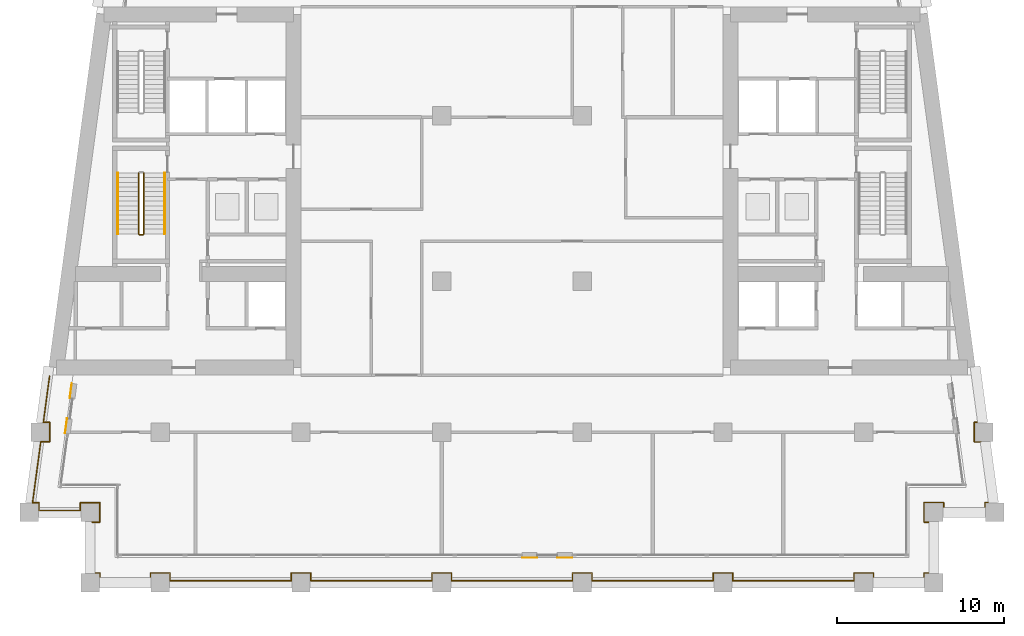
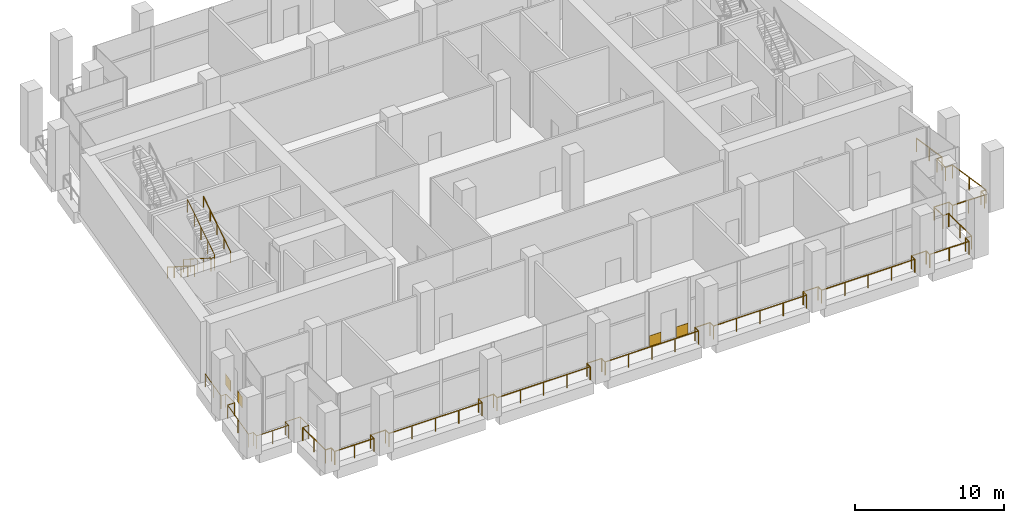
# One storey, part 12 of 16: 5 railings, 4 coverings.
"""IFC4 building model written with IfcOpenShell, lengths in metres."""

from ifc_helpers import new_model, si_unit, direction, frame, origin, origin_2d, place, context, subcontext, project, spatial, rectangle, circle, extrude, material, layer, layer_set, type_object, element, save


model = new_model("IFC4")

# Units and contexts
model_context = context("Model", 3, precision=1e-05, world=origin(), true_north=direction((0.0, 1.0)))
body_context = subcontext(model_context, "Body", "Model", "MODEL_VIEW")
ifc_project = project(units=[si_unit("LENGTHUNIT", "METRE"), si_unit("AREAUNIT", "SQUARE_METRE"), si_unit("VOLUMEUNIT", "CUBIC_METRE"), si_unit("PLANEANGLEUNIT", "RADIAN"), si_unit("MASSUNIT", "GRAM", prefix="KILO")], contexts=[model_context])

# Site, building, storey
site_placement = place(None, origin())
site = spatial("IfcSite", under=ifc_project, at=site_placement, CompositionType="ELEMENT")
building_placement = place(site_placement, origin())
building = spatial("IfcBuilding", under=site, at=building_placement, Name="Candeia Pilgrim Tower and Theatre", CompositionType="ELEMENT")
storey_placement = place(building_placement, frame((0.0, 0.0, 192.199951171875)))
storey = spatial("IfcBuildingStorey", under=building, at=storey_placement, Name="L46", CompositionType="ELEMENT", Elevation=192.199951171875)

# Railings
ifc_material_1 = material(Name="Stainless steel balustrade", Category="steel")
railing_type_1 = type_object("IfcRailingType", Name="G1 loggia guard 1100", PredefinedType="GUARDRAIL", material=ifc_material_1)
railing_1_placement = place(storey_placement, frame((88.320068359375, 101.6201171875, 0.0)))
element("IfcRailing", 1, at=railing_1_placement, inside=storey, type_object=railing_type_1, Name="Guard L46.1", PredefinedType="GUARDRAIL", context=body_context, shape_type="SweptSolid", body=[
    extrude(circle(Radius=0.02392578125, at=origin_2d()), frame((0.0, 0.0, 1.076171875), z_axis=(1.0, 0.0, 0.0), x_axis=(0.0, 1.0, 0.0)), (0.0, 0.0, 1.0), 0.4599609375),
    extrude(circle(Radius=0.02392578125, at=origin_2d()), frame((0.4599609375, 0.0, 1.076171875), z_axis=(0.0, 1.0, 0.0), x_axis=(-1.0, 0.0, 0.0)), (0.0, 0.0, 1.0), 1.159912109375),
    extrude(circle(Radius=0.02392578125, at=origin_2d()), frame((0.4599609375, 1.159912109375, 1.076171875), z_axis=(-1.0, 0.0, 0.0), x_axis=(0.0, -1.0, 0.0)), (0.0, 0.0, 1.0), 1.159912109375),
    extrude(circle(Radius=0.02392578125, at=origin_2d()), frame((-0.699951171875, 1.159912109375, 1.076171875), z_axis=(0.0, -1.0, 0.0), x_axis=(1.0, 0.0, 0.0)), (0.0, 0.0, 1.0), 0.4599609375),
    extrude(circle(Radius=0.02392578125, at=origin_2d()), frame((-0.699951171875, 0.699951171875, 1.076171875), z_axis=(-1.0, 0.0, 0.0), x_axis=(0.0, -1.0, 0.0)), (0.0, 0.0, 1.0), 2.474853515625),
    extrude(circle(Radius=0.02392578125, at=origin_2d()), frame((-3.1748046875, 0.699951171875, 1.076171875), z_axis=(0.0, 1.0, 0.0), x_axis=(-1.0, 0.0, 0.0)), (0.0, 0.0, 1.0), 0.4599609375),
    extrude(circle(Radius=0.02392578125, at=origin_2d()), frame((-3.1748046875, 1.159912109375, 1.076171875), z_axis=(-1.0, 0.0, 0.0), x_axis=(0.0, -1.0, 0.0)), (0.0, 0.0, 1.0), 0.380615234375),
    extrude(circle(Radius=0.02392578125, at=origin_2d()), frame((-3.555419921875, 1.159912109375, 1.076171875), z_axis=(0.133413267734, 0.9910604926, 0.0), x_axis=(-0.9910604926, 0.133413267734, 0.0)), (0.0, 0.0, 1.0), 3.672607421875),
    extrude(circle(Radius=0.02392578125, at=origin_2d()), frame((-3.0654296875, 4.7998046875, 1.076171875), z_axis=(1.0, 0.0, 0.0), x_axis=(0.0, 1.0, 0.0)), (0.0, 0.0, 1.0), 0.536865234375),
    extrude(circle(Radius=0.02392578125, at=origin_2d()), frame((-2.528564453125, 4.7998046875, 1.076171875), z_axis=(0.0, 1.0, 0.0), x_axis=(-1.0, 0.0, 0.0)), (0.0, 0.0, 1.0), 1.16015625),
    extrude(circle(Radius=0.02392578125, at=origin_2d()), frame((-2.528564453125, 5.9599609375, 1.076171875), z_axis=(-1.0, 0.0, 0.0), x_axis=(0.0, -1.0, 0.0)), (0.0, 0.0, 1.0), 0.380859375),
    extrude(circle(Radius=0.02392578125, at=origin_2d()), frame((-2.909423828125, 5.9599609375, 1.076171875), z_axis=(0.133468107709, 0.99105310868, 0.0), x_axis=(-0.99105310868, 0.133468107709, 0.0)), (0.0, 0.0, 1.0), 2.794921875),
    extrude(circle(Radius=0.02099609375, at=origin_2d()), origin(), (0.0, 0.0, 1.0), 1.052001953125),
    extrude(circle(Radius=0.02099609375, at=origin_2d()), frame((0.4599609375, 0.0, 0.0)), (0.0, 0.0, 1.0), 1.052001953125),
    extrude(circle(Radius=0.02099609375, at=origin_2d()), frame((0.4599609375, 1.159912109375, 0.0)), (0.0, 0.0, 1.0), 1.052001953125),
    extrude(circle(Radius=0.02099609375, at=origin_2d()), frame((-0.699951171875, 1.159912109375, 0.0)), (0.0, 0.0, 1.0), 1.052001953125),
    extrude(circle(Radius=0.02099609375, at=origin_2d()), frame((-0.699951171875, 0.699951171875, 0.0)), (0.0, 0.0, 1.0), 1.052001953125),
    extrude(circle(Radius=0.02099609375, at=origin_2d()), frame((-1.9375, 0.699951171875, 0.0)), (0.0, 0.0, 1.0), 1.052001953125),
    extrude(circle(Radius=0.02099609375, at=origin_2d()), frame((-3.1748046875, 0.699951171875, 0.0)), (0.0, 0.0, 1.0), 1.052001953125),
    extrude(circle(Radius=0.02099609375, at=origin_2d()), frame((-3.1748046875, 1.159912109375, 0.0)), (0.0, 0.0, 1.0), 1.052001953125),
    extrude(circle(Radius=0.02099609375, at=origin_2d()), frame((-3.555419921875, 1.159912109375, 0.0)), (0.0, 0.0, 1.0), 1.052001953125),
    extrude(circle(Radius=0.02099609375, at=origin_2d()), frame((-3.310546875, 2.97998046875, 0.0)), (0.0, 0.0, 1.0), 1.052001953125),
    extrude(circle(Radius=0.02099609375, at=origin_2d()), frame((-3.0654296875, 4.7998046875, 0.0)), (0.0, 0.0, 1.0), 1.052001953125),
    extrude(circle(Radius=0.02099609375, at=origin_2d()), frame((-2.528564453125, 4.7998046875, 0.0)), (0.0, 0.0, 1.0), 1.052001953125),
    extrude(circle(Radius=0.02099609375, at=origin_2d()), frame((-2.528564453125, 5.9599609375, 0.0)), (0.0, 0.0, 1.0), 1.052001953125),
    extrude(circle(Radius=0.02099609375, at=origin_2d()), frame((-2.909423828125, 5.9599609375, 0.0)), (0.0, 0.0, 1.0), 1.052001953125),
    extrude(circle(Radius=0.02099609375, at=origin_2d()), frame((-2.722900390625, 7.344970703125, 0.0)), (0.0, 0.0, 1.0), 1.052001953125),
    extrude(circle(Radius=0.02099609375, at=origin_2d()), frame((-2.536376953125, 8.72998046875, 0.0)), (0.0, 0.0, 1.0), 1.052001953125),
])
railing_2_placement = place(storey_placement, frame((141.016357421875, 110.35009765625, 0.0)))
element("IfcRailing", 2, at=railing_2_placement, inside=storey, type_object=railing_type_1, Name="Guard L46.3", PredefinedType="GUARDRAIL", context=body_context, shape_type="SweptSolid", body=[
    extrude(circle(Radius=0.02392578125, at=origin_2d()), frame((0.0, 0.0, 1.076171875), z_axis=(0.133468107709, -0.99105310868, 0.0), x_axis=(0.99105310868, 0.133468107709, 0.0)), (0.0, 0.0, 1.0), 2.794921875),
    extrude(circle(Radius=0.02392578125, at=origin_2d()), frame((0.373046875, -2.77001953125, 1.076171875), z_axis=(-1.0, 0.0, 0.0), x_axis=(0.0, -1.0, 0.0)), (0.0, 0.0, 1.0), 0.380859375),
    extrude(circle(Radius=0.02392578125, at=origin_2d()), frame((-0.0078125, -2.77001953125, 1.076171875), z_axis=(0.0, -1.0, 0.0), x_axis=(1.0, 0.0, 0.0)), (0.0, 0.0, 1.0), 1.16015625),
    extrude(circle(Radius=0.02392578125, at=origin_2d()), frame((-0.0078125, -3.93017578125, 1.076171875), z_axis=(1.0, 0.0, 0.0), x_axis=(0.0, 1.0, 0.0)), (0.0, 0.0, 1.0), 0.536865234375),
    extrude(circle(Radius=0.02392578125, at=origin_2d()), frame((0.529052734375, -3.93017578125, 1.076171875), z_axis=(0.133413267734, -0.9910604926, 0.0), x_axis=(0.9910604926, 0.133413267734, 0.0)), (0.0, 0.0, 1.0), 3.672607421875),
    extrude(circle(Radius=0.02392578125, at=origin_2d()), frame((1.01904296875, -7.570068359375, 1.076171875), z_axis=(-1.0, 0.0, 0.0), x_axis=(0.0, -1.0, 0.0)), (0.0, 0.0, 1.0), 0.380859375),
    extrude(circle(Radius=0.02392578125, at=origin_2d()), frame((0.63818359375, -7.570068359375, 1.076171875), z_axis=(0.0, -1.0, 0.0), x_axis=(1.0, 0.0, 0.0)), (0.0, 0.0, 1.0), 0.4599609375),
    extrude(circle(Radius=0.02392578125, at=origin_2d()), frame((0.63818359375, -8.030029296875, 1.076171875), z_axis=(-1.0, 0.0, 0.0), x_axis=(0.0, -1.0, 0.0)), (0.0, 0.0, 1.0), 2.474609375),
    extrude(circle(Radius=0.02392578125, at=origin_2d()), frame((-1.83642578125, -8.030029296875, 1.076171875), z_axis=(0.0, 1.0, 0.0), x_axis=(-1.0, 0.0, 0.0)), (0.0, 0.0, 1.0), 0.4599609375),
    extrude(circle(Radius=0.02392578125, at=origin_2d()), frame((-1.83642578125, -7.570068359375, 1.076171875), z_axis=(-1.0, 0.0, 0.0), x_axis=(0.0, -1.0, 0.0)), (0.0, 0.0, 1.0), 1.159912109375),
    extrude(circle(Radius=0.02392578125, at=origin_2d()), frame((-2.996337890625, -7.570068359375, 1.076171875), z_axis=(0.0, -1.0, 0.0), x_axis=(1.0, 0.0, 0.0)), (0.0, 0.0, 1.0), 1.159912109375),
    extrude(circle(Radius=0.02392578125, at=origin_2d()), frame((-2.996337890625, -8.72998046875, 1.076171875), z_axis=(1.0, 0.0, 0.0), x_axis=(0.0, 1.0, 0.0)), (0.0, 0.0, 1.0), 0.4599609375),
    extrude(circle(Radius=0.02392578125, at=origin_2d()), frame((-2.536376953125, -8.72998046875, 1.076171875), z_axis=(0.0, -1.0, 0.0), x_axis=(1.0, 0.0, 0.0)), (0.0, 0.0, 1.0), 3.0400390625),
    extrude(circle(Radius=0.02392578125, at=origin_2d()), frame((-2.536376953125, -11.77001953125, 1.076171875), z_axis=(-1.0, 0.0, 0.0), x_axis=(0.0, -1.0, 0.0)), (0.0, 0.0, 1.0), 0.4599609375),
    extrude(circle(Radius=0.02392578125, at=origin_2d()), frame((-2.996337890625, -11.77001953125, 1.076171875), z_axis=(0.0, -1.0, 0.0), x_axis=(1.0, 0.0, 0.0)), (0.0, 0.0, 1.0), 0.4599609375),
    extrude(circle(Radius=0.02392578125, at=origin_2d()), frame((-2.996337890625, -12.22998046875, 1.076171875), z_axis=(-1.0, 0.0, 0.0), x_axis=(0.0, -1.0, 0.0)), (0.0, 0.0, 1.0), 3.0400390625),
    extrude(circle(Radius=0.02392578125, at=origin_2d()), frame((-6.036376953125, -12.22998046875, 1.076171875), z_axis=(0.0, 1.0, 0.0), x_axis=(-1.0, 0.0, 0.0)), (0.0, 0.0, 1.0), 0.4599609375),
    extrude(circle(Radius=0.02392578125, at=origin_2d()), frame((-6.036376953125, -11.77001953125, 1.076171875), z_axis=(-1.0, 0.0, 0.0), x_axis=(0.0, -1.0, 0.0)), (0.0, 0.0, 1.0), 1.159912109375),
    extrude(circle(Radius=0.02392578125, at=origin_2d()), frame((-7.1962890625, -11.77001953125, 1.076171875), z_axis=(0.0, -1.0, 0.0), x_axis=(1.0, 0.0, 0.0)), (0.0, 0.0, 1.0), 0.4599609375),
    extrude(circle(Radius=0.02392578125, at=origin_2d()), frame((-7.1962890625, -12.22998046875, 1.076171875), z_axis=(-1.0, 0.0, 0.0), x_axis=(0.0, -1.0, 0.0)), (0.0, 0.0, 1.0), 7.239990234375),
    extrude(circle(Radius=0.02392578125, at=origin_2d()), frame((-14.436279296875, -12.22998046875, 1.076171875), z_axis=(0.0, 1.0, 0.0), x_axis=(-1.0, 0.0, 0.0)), (0.0, 0.0, 1.0), 0.4599609375),
    extrude(circle(Radius=0.02392578125, at=origin_2d()), frame((-14.436279296875, -11.77001953125, 1.076171875), z_axis=(-1.0, 0.0, 0.0), x_axis=(0.0, -1.0, 0.0)), (0.0, 0.0, 1.0), 1.16015625),
    extrude(circle(Radius=0.02392578125, at=origin_2d()), frame((-15.596435546875, -11.77001953125, 1.076171875), z_axis=(0.0, -1.0, 0.0), x_axis=(1.0, 0.0, 0.0)), (0.0, 0.0, 1.0), 0.4599609375),
    extrude(circle(Radius=0.02392578125, at=origin_2d()), frame((-15.596435546875, -12.22998046875, 1.076171875), z_axis=(-1.0, 0.0, 0.0), x_axis=(0.0, -1.0, 0.0)), (0.0, 0.0, 1.0), 7.239990234375),
    extrude(circle(Radius=0.02392578125, at=origin_2d()), frame((-22.83642578125, -12.22998046875, 1.076171875), z_axis=(0.0, 1.0, 0.0), x_axis=(-1.0, 0.0, 0.0)), (0.0, 0.0, 1.0), 0.4599609375),
    extrude(circle(Radius=0.02392578125, at=origin_2d()), frame((-22.83642578125, -11.77001953125, 1.076171875), z_axis=(-1.0, 0.0, 0.0), x_axis=(0.0, -1.0, 0.0)), (0.0, 0.0, 1.0), 1.159912109375),
    extrude(circle(Radius=0.02392578125, at=origin_2d()), frame((-23.996337890625, -11.77001953125, 1.076171875), z_axis=(0.0, -1.0, 0.0), x_axis=(1.0, 0.0, 0.0)), (0.0, 0.0, 1.0), 0.4599609375),
    extrude(circle(Radius=0.02392578125, at=origin_2d()), frame((-23.996337890625, -12.22998046875, 1.076171875), z_axis=(-1.0, 0.0, 0.0), x_axis=(0.0, -1.0, 0.0)), (0.0, 0.0, 1.0), 7.239990234375),
    extrude(circle(Radius=0.02392578125, at=origin_2d()), frame((-31.236328125, -12.22998046875, 1.076171875), z_axis=(0.0, 1.0, 0.0), x_axis=(-1.0, 0.0, 0.0)), (0.0, 0.0, 1.0), 0.4599609375),
    extrude(circle(Radius=0.02392578125, at=origin_2d()), frame((-31.236328125, -11.77001953125, 1.076171875), z_axis=(-1.0, 0.0, 0.0), x_axis=(0.0, -1.0, 0.0)), (0.0, 0.0, 1.0), 1.159912109375),
    extrude(circle(Radius=0.02392578125, at=origin_2d()), frame((-32.396240234375, -11.77001953125, 1.076171875), z_axis=(0.0, -1.0, 0.0), x_axis=(1.0, 0.0, 0.0)), (0.0, 0.0, 1.0), 0.4599609375),
    extrude(circle(Radius=0.02392578125, at=origin_2d()), frame((-32.396240234375, -12.22998046875, 1.076171875), z_axis=(-1.0, 0.0, 0.0), x_axis=(0.0, -1.0, 0.0)), (0.0, 0.0, 1.0), 7.240234375),
    extrude(circle(Radius=0.02392578125, at=origin_2d()), frame((-39.636474609375, -12.22998046875, 1.076171875), z_axis=(0.0, 1.0, 0.0), x_axis=(-1.0, 0.0, 0.0)), (0.0, 0.0, 1.0), 0.4599609375),
    extrude(circle(Radius=0.02392578125, at=origin_2d()), frame((-39.636474609375, -11.77001953125, 1.076171875), z_axis=(-1.0, 0.0, 0.0), x_axis=(0.0, -1.0, 0.0)), (0.0, 0.0, 1.0), 1.159912109375),
    extrude(circle(Radius=0.02392578125, at=origin_2d()), frame((-40.79638671875, -11.77001953125, 1.076171875), z_axis=(0.0, -1.0, 0.0), x_axis=(1.0, 0.0, 0.0)), (0.0, 0.0, 1.0), 0.4599609375),
    extrude(circle(Radius=0.02392578125, at=origin_2d()), frame((-40.79638671875, -12.22998046875, 1.076171875), z_axis=(-1.0, 0.0, 0.0), x_axis=(0.0, -1.0, 0.0)), (0.0, 0.0, 1.0), 7.239990234375),
    extrude(circle(Radius=0.02392578125, at=origin_2d()), frame((-48.036376953125, -12.22998046875, 1.076171875), z_axis=(0.0, 1.0, 0.0), x_axis=(-1.0, 0.0, 0.0)), (0.0, 0.0, 1.0), 0.4599609375),
    extrude(circle(Radius=0.02392578125, at=origin_2d()), frame((-48.036376953125, -11.77001953125, 1.076171875), z_axis=(-1.0, 0.0, 0.0), x_axis=(0.0, -1.0, 0.0)), (0.0, 0.0, 1.0), 1.159912109375),
    extrude(circle(Radius=0.02392578125, at=origin_2d()), frame((-49.1962890625, -11.77001953125, 1.076171875), z_axis=(0.0, -1.0, 0.0), x_axis=(1.0, 0.0, 0.0)), (0.0, 0.0, 1.0), 0.4599609375),
    extrude(circle(Radius=0.02392578125, at=origin_2d()), frame((-49.1962890625, -12.22998046875, 1.076171875), z_axis=(-1.0, 0.0, 0.0), x_axis=(0.0, -1.0, 0.0)), (0.0, 0.0, 1.0), 3.0400390625),
    extrude(circle(Radius=0.02392578125, at=origin_2d()), frame((-52.236328125, -12.22998046875, 1.076171875), z_axis=(0.0, 1.0, 0.0), x_axis=(-1.0, 0.0, 0.0)), (0.0, 0.0, 1.0), 0.4599609375),
    extrude(circle(Radius=0.02392578125, at=origin_2d()), frame((-52.236328125, -11.77001953125, 1.076171875), z_axis=(-1.0, 0.0, 0.0), x_axis=(0.0, -1.0, 0.0)), (0.0, 0.0, 1.0), 0.4599609375),
    extrude(circle(Radius=0.02392578125, at=origin_2d()), frame((-52.6962890625, -11.77001953125, 1.076171875), z_axis=(0.0, 1.0, 0.0), x_axis=(-1.0, 0.0, 0.0)), (0.0, 0.0, 1.0), 3.0400390625),
    extrude(circle(Radius=0.02099609375, at=origin_2d()), origin(), (0.0, 0.0, 1.0), 1.052001953125),
    extrude(circle(Radius=0.02099609375, at=origin_2d()), frame((0.1865234375, -1.385009765625, 0.0)), (0.0, 0.0, 1.0), 1.052001953125),
    extrude(circle(Radius=0.02099609375, at=origin_2d()), frame((0.373046875, -2.77001953125, 0.0)), (0.0, 0.0, 1.0), 1.052001953125),
    extrude(circle(Radius=0.02099609375, at=origin_2d()), frame((-0.0078125, -2.77001953125, 0.0)), (0.0, 0.0, 1.0), 1.052001953125),
    extrude(circle(Radius=0.02099609375, at=origin_2d()), frame((-0.0078125, -3.93017578125, 0.0)), (0.0, 0.0, 1.0), 1.052001953125),
    extrude(circle(Radius=0.02099609375, at=origin_2d()), frame((0.529052734375, -3.93017578125, 0.0)), (0.0, 0.0, 1.0), 1.052001953125),
    extrude(circle(Radius=0.02099609375, at=origin_2d()), frame((0.77392578125, -5.75, 0.0)), (0.0, 0.0, 1.0), 1.052001953125),
    extrude(circle(Radius=0.02099609375, at=origin_2d()), frame((1.01904296875, -7.570068359375, 0.0)), (0.0, 0.0, 1.0), 1.052001953125),
    extrude(circle(Radius=0.02099609375, at=origin_2d()), frame((0.63818359375, -7.570068359375, 0.0)), (0.0, 0.0, 1.0), 1.052001953125),
    extrude(circle(Radius=0.02099609375, at=origin_2d()), frame((0.63818359375, -8.030029296875, 0.0)), (0.0, 0.0, 1.0), 1.052001953125),
    extrude(circle(Radius=0.02099609375, at=origin_2d()), frame((-0.59912109375, -8.030029296875, 0.0)), (0.0, 0.0, 1.0), 1.052001953125),
    extrude(circle(Radius=0.02099609375, at=origin_2d()), frame((-1.83642578125, -8.030029296875, 0.0)), (0.0, 0.0, 1.0), 1.052001953125),
    extrude(circle(Radius=0.02099609375, at=origin_2d()), frame((-1.83642578125, -7.570068359375, 0.0)), (0.0, 0.0, 1.0), 1.052001953125),
    extrude(circle(Radius=0.02099609375, at=origin_2d()), frame((-2.996337890625, -7.570068359375, 0.0)), (0.0, 0.0, 1.0), 1.052001953125),
    extrude(circle(Radius=0.02099609375, at=origin_2d()), frame((-2.996337890625, -8.72998046875, 0.0)), (0.0, 0.0, 1.0), 1.052001953125),
    extrude(circle(Radius=0.02099609375, at=origin_2d()), frame((-2.536376953125, -8.72998046875, 0.0)), (0.0, 0.0, 1.0), 1.052001953125),
    extrude(circle(Radius=0.02099609375, at=origin_2d()), frame((-2.536376953125, -10.25, 0.0)), (0.0, 0.0, 1.0), 1.052001953125),
    extrude(circle(Radius=0.02099609375, at=origin_2d()), frame((-2.536376953125, -11.77001953125, 0.0)), (0.0, 0.0, 1.0), 1.052001953125),
    extrude(circle(Radius=0.02099609375, at=origin_2d()), frame((-2.996337890625, -11.77001953125, 0.0)), (0.0, 0.0, 1.0), 1.052001953125),
    extrude(circle(Radius=0.02099609375, at=origin_2d()), frame((-2.996337890625, -12.22998046875, 0.0)), (0.0, 0.0, 1.0), 1.052001953125),
    extrude(circle(Radius=0.02099609375, at=origin_2d()), frame((-4.516357421875, -12.22998046875, 0.0)), (0.0, 0.0, 1.0), 1.052001953125),
    extrude(circle(Radius=0.02099609375, at=origin_2d()), frame((-6.036376953125, -12.22998046875, 0.0)), (0.0, 0.0, 1.0), 1.052001953125),
    extrude(circle(Radius=0.02099609375, at=origin_2d()), frame((-6.036376953125, -11.77001953125, 0.0)), (0.0, 0.0, 1.0), 1.052001953125),
    extrude(circle(Radius=0.02099609375, at=origin_2d()), frame((-7.1962890625, -11.77001953125, 0.0)), (0.0, 0.0, 1.0), 1.052001953125),
    extrude(circle(Radius=0.02099609375, at=origin_2d()), frame((-7.1962890625, -12.22998046875, 0.0)), (0.0, 0.0, 1.0), 1.052001953125),
    extrude(circle(Radius=0.02099609375, at=origin_2d()), frame((-9.00634765625, -12.22998046875, 0.0)), (0.0, 0.0, 1.0), 1.052001953125),
    extrude(circle(Radius=0.02099609375, at=origin_2d()), frame((-10.81640625, -12.22998046875, 0.0)), (0.0, 0.0, 1.0), 1.052001953125),
    extrude(circle(Radius=0.02099609375, at=origin_2d()), frame((-12.626220703125, -12.22998046875, 0.0)), (0.0, 0.0, 1.0), 1.052001953125),
    extrude(circle(Radius=0.02099609375, at=origin_2d()), frame((-14.436279296875, -12.22998046875, 0.0)), (0.0, 0.0, 1.0), 1.052001953125),
    extrude(circle(Radius=0.02099609375, at=origin_2d()), frame((-14.436279296875, -11.77001953125, 0.0)), (0.0, 0.0, 1.0), 1.052001953125),
    extrude(circle(Radius=0.02099609375, at=origin_2d()), frame((-15.596435546875, -11.77001953125, 0.0)), (0.0, 0.0, 1.0), 1.052001953125),
    extrude(circle(Radius=0.02099609375, at=origin_2d()), frame((-15.596435546875, -12.22998046875, 0.0)), (0.0, 0.0, 1.0), 1.052001953125),
    extrude(circle(Radius=0.02099609375, at=origin_2d()), frame((-17.406494140625, -12.22998046875, 0.0)), (0.0, 0.0, 1.0), 1.052001953125),
    extrude(circle(Radius=0.02099609375, at=origin_2d()), frame((-19.21630859375, -12.22998046875, 0.0)), (0.0, 0.0, 1.0), 1.052001953125),
    extrude(circle(Radius=0.02099609375, at=origin_2d()), frame((-21.0263671875, -12.22998046875, 0.0)), (0.0, 0.0, 1.0), 1.052001953125),
    extrude(circle(Radius=0.02099609375, at=origin_2d()), frame((-22.83642578125, -12.22998046875, 0.0)), (0.0, 0.0, 1.0), 1.052001953125),
    extrude(circle(Radius=0.02099609375, at=origin_2d()), frame((-22.83642578125, -11.77001953125, 0.0)), (0.0, 0.0, 1.0), 1.052001953125),
    extrude(circle(Radius=0.02099609375, at=origin_2d()), frame((-23.996337890625, -11.77001953125, 0.0)), (0.0, 0.0, 1.0), 1.052001953125),
    extrude(circle(Radius=0.02099609375, at=origin_2d()), frame((-23.996337890625, -12.22998046875, 0.0)), (0.0, 0.0, 1.0), 1.052001953125),
    extrude(circle(Radius=0.02099609375, at=origin_2d()), frame((-25.806396484375, -12.22998046875, 0.0)), (0.0, 0.0, 1.0), 1.052001953125),
    extrude(circle(Radius=0.02099609375, at=origin_2d()), frame((-27.6162109375, -12.22998046875, 0.0)), (0.0, 0.0, 1.0), 1.052001953125),
    extrude(circle(Radius=0.02099609375, at=origin_2d()), frame((-29.42626953125, -12.22998046875, 0.0)), (0.0, 0.0, 1.0), 1.052001953125),
    extrude(circle(Radius=0.02099609375, at=origin_2d()), frame((-31.236328125, -12.22998046875, 0.0)), (0.0, 0.0, 1.0), 1.052001953125),
    extrude(circle(Radius=0.02099609375, at=origin_2d()), frame((-31.236328125, -11.77001953125, 0.0)), (0.0, 0.0, 1.0), 1.052001953125),
    extrude(circle(Radius=0.02099609375, at=origin_2d()), frame((-32.396240234375, -11.77001953125, 0.0)), (0.0, 0.0, 1.0), 1.052001953125),
    extrude(circle(Radius=0.02099609375, at=origin_2d()), frame((-32.396240234375, -12.22998046875, 0.0)), (0.0, 0.0, 1.0), 1.052001953125),
    extrude(circle(Radius=0.02099609375, at=origin_2d()), frame((-34.206298828125, -12.22998046875, 0.0)), (0.0, 0.0, 1.0), 1.052001953125),
    extrude(circle(Radius=0.02099609375, at=origin_2d()), frame((-36.016357421875, -12.22998046875, 0.0)), (0.0, 0.0, 1.0), 1.052001953125),
    extrude(circle(Radius=0.02099609375, at=origin_2d()), frame((-37.826416015625, -12.22998046875, 0.0)), (0.0, 0.0, 1.0), 1.052001953125),
    extrude(circle(Radius=0.02099609375, at=origin_2d()), frame((-39.636474609375, -12.22998046875, 0.0)), (0.0, 0.0, 1.0), 1.052001953125),
    extrude(circle(Radius=0.02099609375, at=origin_2d()), frame((-39.636474609375, -11.77001953125, 0.0)), (0.0, 0.0, 1.0), 1.052001953125),
    extrude(circle(Radius=0.02099609375, at=origin_2d()), frame((-40.79638671875, -11.77001953125, 0.0)), (0.0, 0.0, 1.0), 1.052001953125),
    extrude(circle(Radius=0.02099609375, at=origin_2d()), frame((-40.79638671875, -12.22998046875, 0.0)), (0.0, 0.0, 1.0), 1.052001953125),
    extrude(circle(Radius=0.02099609375, at=origin_2d()), frame((-42.6064453125, -12.22998046875, 0.0)), (0.0, 0.0, 1.0), 1.052001953125),
    extrude(circle(Radius=0.02099609375, at=origin_2d()), frame((-44.41650390625, -12.22998046875, 0.0)), (0.0, 0.0, 1.0), 1.052001953125),
    extrude(circle(Radius=0.02099609375, at=origin_2d()), frame((-46.226318359375, -12.22998046875, 0.0)), (0.0, 0.0, 1.0), 1.052001953125),
    extrude(circle(Radius=0.02099609375, at=origin_2d()), frame((-48.036376953125, -12.22998046875, 0.0)), (0.0, 0.0, 1.0), 1.052001953125),
    extrude(circle(Radius=0.02099609375, at=origin_2d()), frame((-48.036376953125, -11.77001953125, 0.0)), (0.0, 0.0, 1.0), 1.052001953125),
    extrude(circle(Radius=0.02099609375, at=origin_2d()), frame((-49.1962890625, -11.77001953125, 0.0)), (0.0, 0.0, 1.0), 1.052001953125),
    extrude(circle(Radius=0.02099609375, at=origin_2d()), frame((-49.1962890625, -12.22998046875, 0.0)), (0.0, 0.0, 1.0), 1.052001953125),
    extrude(circle(Radius=0.02099609375, at=origin_2d()), frame((-50.71630859375, -12.22998046875, 0.0)), (0.0, 0.0, 1.0), 1.052001953125),
    extrude(circle(Radius=0.02099609375, at=origin_2d()), frame((-52.236328125, -12.22998046875, 0.0)), (0.0, 0.0, 1.0), 1.052001953125),
    extrude(circle(Radius=0.02099609375, at=origin_2d()), frame((-52.236328125, -11.77001953125, 0.0)), (0.0, 0.0, 1.0), 1.052001953125),
    extrude(circle(Radius=0.02099609375, at=origin_2d()), frame((-52.6962890625, -11.77001953125, 0.0)), (0.0, 0.0, 1.0), 1.052001953125),
    extrude(circle(Radius=0.02099609375, at=origin_2d()), frame((-52.6962890625, -10.25, 0.0)), (0.0, 0.0, 1.0), 1.052001953125),
    extrude(circle(Radius=0.02099609375, at=origin_2d()), frame((-52.6962890625, -8.72998046875, 0.0)), (0.0, 0.0, 1.0), 1.052001953125),
])

# Coverings
ifc_material_2 = material(Name="Glazed ceramic tile bottle green")
ifc_layer_1 = layer(ifc_material_2, 0.02001953125)
ifc_layer_set_1 = layer_set([ifc_layer_1], Name="Glazed ceramic tile bottle green")
covering_type_1 = type_object("IfcCoveringType", Name="Glazed ceramic tile bottle green", PredefinedType="CLADDING", material=ifc_layer_set_1)
for number, where, z_axis, x_axis, name in (
    (3, (114.449951171875, 99.489990234375, 0.0), (0.0, 0.0, 1.0), (1.0, 0.0, 0.0), "Tile cladding bottle green L46"),
    (4, (116.550048828125, 99.489990234375, 0.0), (0.0, 0.0, 1.0), (1.0, 0.0, 0.0), "Tile cladding bottle green L46"),
):
    element("IfcCovering", number, at=place(storey_placement, frame(where, z_axis=z_axis, x_axis=x_axis)), inside=storey, type_object=covering_type_1, Name=name, PredefinedType="CLADDING", context=body_context, shape_type="SweptSolid", body=[
        extrude(rectangle(XDim=0.89990234375, YDim=0.02001953125, at=origin_2d()), origin(), (0.0, 0.0, 1.0), 0.89990234375),
    ])
ifc_material_3 = material(Name="Glazed ceramic tile rust")
ifc_layer_2 = layer(ifc_material_3, 0.02001953125)
ifc_layer_set_2 = layer_set([ifc_layer_2], Name="Glazed ceramic tile rust")
covering_type_2 = type_object("IfcCoveringType", Name="Glazed ceramic tile rust", PredefinedType="CLADDING", material=ifc_layer_set_2)
for number, where, z_axis, x_axis, name in (
    (5, (87.04638671875, 109.4619140625, 0.0), (0.0, 0.0, 1.0), (-0.133412012145, -0.991060661622, 0.0), "Tile cladding rust L46"),
    (6, (86.76611328125, 107.380615234375, 0.0), (0.0, 0.0, 1.0), (-0.133412012145, -0.991060661622, 0.0), "Tile cladding rust L46"),
):
    element("IfcCovering", number, at=place(storey_placement, frame(where, z_axis=z_axis, x_axis=x_axis)), inside=storey, type_object=covering_type_2, Name=name, PredefinedType="CLADDING", context=body_context, shape_type="SweptSolid", body=[
        extrude(rectangle(XDim=0.89990234375, YDim=0.02001953125, at=origin_2d()), origin(), (0.0, 0.0, 1.0), 0.89990234375),
    ])

# Railings
railing_type_2 = type_object("IfcRailingType", Name="RL-GUARD-1100", PredefinedType="GUARDRAIL", material=ifc_material_1)
railing_3_placement = place(storey_placement, frame((91.10205078125, 122.47509765625, 0.1787109375)))
element("IfcRailing", 7, at=railing_3_placement, inside=storey, type_object=railing_type_2, Name="L46 ST1 stair guard 1", PredefinedType="GUARDRAIL", context=body_context, shape_type="SweptSolid", body=[
    extrude(circle(Radius=0.02392578125, at=origin_2d()), frame((0.0, 0.0, 1.076171875), z_axis=(0.0, -0.843153495434, 0.537672933239), x_axis=(1.0, 0.0, 0.0)), (0.0, 0.0, 1.0), 4.3173828125),
    extrude(circle(Radius=0.02392578125, at=origin_2d()), frame((0.0, -3.64013671875, 3.3974609375), z_axis=(0.707106781187, -0.707106781187, 0.0), x_axis=(0.707106781187, 0.707106781187, 0.0)), (0.0, 0.0, 1.0), 0.07080078125),
    extrude(circle(Radius=0.02392578125, at=origin_2d()), frame((0.050048828125, -3.690185546875, 3.3974609375), z_axis=(1.0, 0.0, 0.0), x_axis=(0.0, 1.0, 0.0)), (0.0, 0.0, 1.0), 0.199951171875),
    extrude(circle(Radius=0.02392578125, at=origin_2d()), frame((0.25, -3.690185546875, 3.3974609375), z_axis=(0.260376719329, 0.260376719329, 0.929735407556), x_axis=(-0.707106781187, 0.707106781187, 0.0)), (0.0, 0.0, 1.0), 0.192138671875),
    extrude(circle(Radius=0.02392578125, at=origin_2d()), frame((0.300048828125, -3.64013671875, 3.576171875), z_axis=(0.0, 0.843153495434, 0.537672933239), x_axis=(-1.0, 0.0, 0.0)), (0.0, 0.0, 1.0), 4.3173828125),
    extrude(circle(Radius=0.02099609375, at=origin_2d()), origin(), (0.0, 0.0, 1.0), 1.052001953125),
    extrude(circle(Radius=0.02099609375, at=origin_2d()), frame((0.0, -0.91015625, 0.580322265625)), (0.0, 0.0, 1.0), 1.052001953125),
    extrude(circle(Radius=0.02099609375, at=origin_2d()), frame((0.0, -1.820068359375, 1.16064453125)), (0.0, 0.0, 1.0), 1.052001953125),
    extrude(circle(Radius=0.02099609375, at=origin_2d()), frame((0.0, -2.72998046875, 1.740966796875)), (0.0, 0.0, 1.0), 1.052001953125),
    extrude(circle(Radius=0.02099609375, at=origin_2d()), frame((0.0, -3.64013671875, 2.3212890625)), (0.0, 0.0, 1.0), 1.052001953125),
    extrude(circle(Radius=0.02099609375, at=origin_2d()), frame((0.050048828125, -3.690185546875, 2.3212890625)), (0.0, 0.0, 1.0), 1.052001953125),
    extrude(circle(Radius=0.02099609375, at=origin_2d()), frame((0.25, -3.690185546875, 2.3212890625)), (0.0, 0.0, 1.0), 1.052001953125),
    extrude(circle(Radius=0.02099609375, at=origin_2d()), frame((0.300048828125, -3.64013671875, 2.5)), (0.0, 0.0, 1.0), 1.052001953125),
    extrude(circle(Radius=0.02099609375, at=origin_2d()), frame((0.300048828125, -2.72998046875, 3.080322265625)), (0.0, 0.0, 1.0), 1.052001953125),
    extrude(circle(Radius=0.02099609375, at=origin_2d()), frame((0.300048828125, -1.820068359375, 3.66064453125)), (0.0, 0.0, 1.0), 1.052001953125),
    extrude(circle(Radius=0.02099609375, at=origin_2d()), frame((0.300048828125, -0.91015625, 4.240966796875)), (0.0, 0.0, 1.0), 1.052001953125),
    extrude(circle(Radius=0.02099609375, at=origin_2d()), frame((0.300048828125, 0.0, 4.8212890625)), (0.0, 0.0, 1.0), 1.052001953125),
])
ifc_material_4 = material(Name="Stainless steel handrail", Category="steel")
railing_type_3 = type_object("IfcRailingType", Name="RL-HANDRAIL-900", PredefinedType="HANDRAIL", material=ifc_material_4)
railing_4_placement = place(storey_placement, frame((89.85205078125, 122.47509765625, 0.1787109375)))
element("IfcRailing", 8, at=railing_4_placement, inside=storey, type_object=railing_type_3, Name="L46 ST1 stair handrail 1", PredefinedType="HANDRAIL", context=body_context, shape_type="SweptSolid", body=[
    extrude(circle(Radius=0.02392578125, at=origin_2d()), frame((0.0, 0.0, 0.8759765625), z_axis=(0.0, -0.843153495434, 0.537672933239), x_axis=(1.0, 0.0, 0.0)), (0.0, 0.0, 1.0), 4.3173828125),
    extrude(circle(Radius=0.02099609375, at=origin_2d()), origin(), (0.0, 0.0, 1.0), 0.851806640625),
    extrude(circle(Radius=0.02099609375, at=origin_2d()), frame((0.0, -0.91015625, 0.580322265625)), (0.0, 0.0, 1.0), 0.851806640625),
    extrude(circle(Radius=0.02099609375, at=origin_2d()), frame((0.0, -1.820068359375, 1.16064453125)), (0.0, 0.0, 1.0), 0.851806640625),
    extrude(circle(Radius=0.02099609375, at=origin_2d()), frame((0.0, -2.72998046875, 1.740966796875)), (0.0, 0.0, 1.0), 0.851806640625),
    extrude(circle(Radius=0.02099609375, at=origin_2d()), frame((0.0, -3.64013671875, 2.3212890625)), (0.0, 0.0, 1.0), 0.851806640625),
])
railing_5_placement = place(storey_placement, frame((92.652099609375, 118.8349609375, 2.6787109375)))
element("IfcRailing", 9, at=railing_5_placement, inside=storey, type_object=railing_type_3, Name="L46 ST1 stair handrail 2", PredefinedType="HANDRAIL", context=body_context, shape_type="SweptSolid", body=[
    extrude(circle(Radius=0.02392578125, at=origin_2d()), frame((0.0, 0.0, 0.8759765625), z_axis=(0.0, 0.843153495434, 0.537672933239), x_axis=(-1.0, 0.0, 0.0)), (0.0, 0.0, 1.0), 4.3173828125),
    extrude(circle(Radius=0.02099609375, at=origin_2d()), origin(), (0.0, 0.0, 1.0), 0.851806640625),
    extrude(circle(Radius=0.02099609375, at=origin_2d()), frame((0.0, 0.91015625, 0.580322265625)), (0.0, 0.0, 1.0), 0.851806640625),
    extrude(circle(Radius=0.02099609375, at=origin_2d()), frame((0.0, 1.820068359375, 1.16064453125)), (0.0, 0.0, 1.0), 0.851806640625),
    extrude(circle(Radius=0.02099609375, at=origin_2d()), frame((0.0, 2.72998046875, 1.740966796875)), (0.0, 0.0, 1.0), 0.851806640625),
    extrude(circle(Radius=0.02099609375, at=origin_2d()), frame((0.0, 3.64013671875, 2.3212890625)), (0.0, 0.0, 1.0), 0.851806640625),
])

save(model, "model.ifc")
